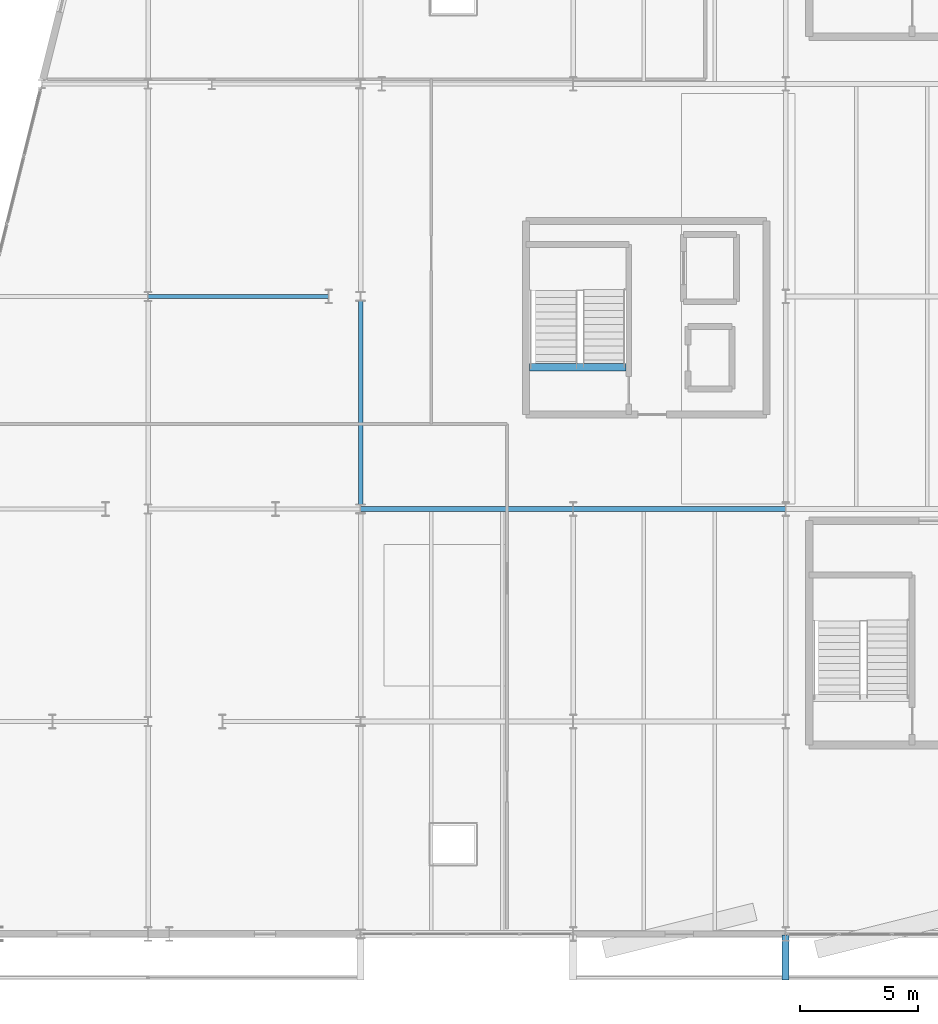
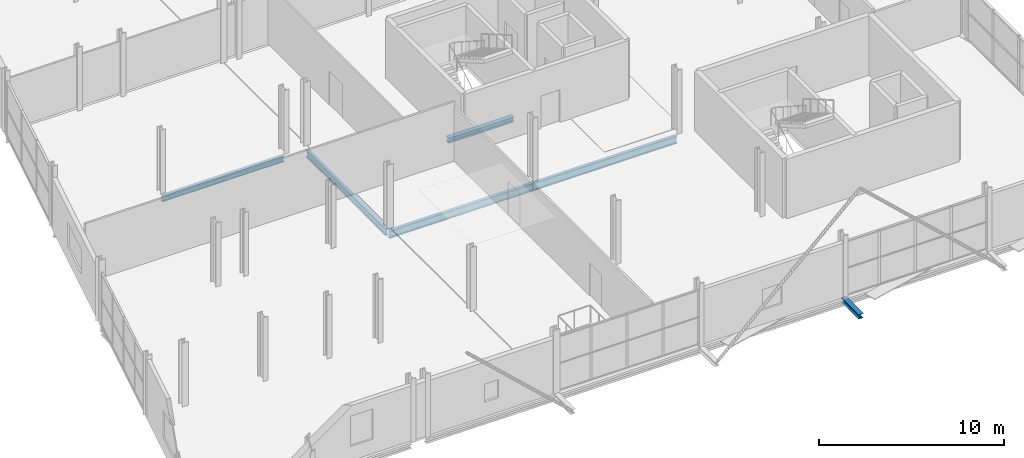
# One storey, part 45 of 103: 6 beams.
"""IFC4 building model written with IfcOpenShell, lengths in metres."""

import ifcopenshell
import ifcopenshell.guid

model = None  # the IFC model being written
_history = None  # IfcOwnerHistory: only IFC2X3 demands one
_inside = {}  # id of a spatial element -> (the spatial element, [elements in it])
_under = {}  # id of a project, library or spatial element -> (it, [spatial elements below it])
_declared = {}  # id of a project -> (the project, [libraries it declares])
_typed = {}  # id of a type object -> (the type object, [elements of that type])
_made_of = {}  # id of a material, layer set ... -> (it, [elements and type objects made of it])


def new_model(schema):
    """Start an empty IFC model of exactly this schema.

    Asked for "IFC4X3", IfcOpenShell would pick the latest addendum, in which some entities
    have other attributes; the version numbers below select the first issue.
    IFC2X3 requires an IfcOwnerHistory on every rooted entity: one is made here for all.
    """
    global model, _history
    if schema == "IFC4X3":
        model = ifcopenshell.file(schema_version=(4, 3, 0, 0))
    else:
        model = ifcopenshell.file(schema=schema)
    _inside.clear()
    _under.clear()
    _declared.clear()
    _typed.clear()
    _made_of.clear()
    _history = None
    if model.schema == "IFC2X3":
        org = make("IfcOrganization", Name="unknown")
        user = make(
            "IfcPersonAndOrganization",
            ThePerson=make("IfcPerson", FamilyName="unknown"),
            TheOrganization=org,
        )
        app = make(
            "IfcApplication",
            ApplicationDeveloper=org,
            Version="unknown",
            ApplicationFullName="unknown",
            ApplicationIdentifier="unknown",
        )
        _history = make(
            "IfcOwnerHistory",
            OwningUser=user,
            OwningApplication=app,
            ChangeAction="ADDED",
            CreationDate=0,
        )
    return model


def make(cls, **values):
    """One entity of the class cls with the attributes given. An attribute that is None is left unset."""
    return model.create_entity(
        cls, **{name: value for name, value in values.items() if value is not None}
    )


def rooted(cls, **values):
    """An entity with a GlobalId (a new one), such as an element, a storey or a relation."""
    return make(cls, GlobalId=ifcopenshell.guid.new(), OwnerHistory=_history, **values)


def si_unit(unit_type, name, prefix=None):
    """IfcSIUnit, for example si_unit("LENGTHUNIT", "METRE", prefix="MILLI")."""
    return make("IfcSIUnit", UnitType=unit_type, Prefix=prefix, Name=name)


def assignment(units):
    """IfcUnitAssignment: the units of a project."""
    return None if units is None else make("IfcUnitAssignment", Units=units)


def point(xyz):
    """IfcCartesianPoint."""
    return None if xyz is None else make("IfcCartesianPoint", Coordinates=xyz)


def direction(xyz):
    """IfcDirection."""
    return None if xyz is None else make("IfcDirection", DirectionRatios=xyz)


def frame(location, z_axis=None, x_axis=None):
    """IfcAxis2Placement3D, a coordinate frame: its origin and axes. An axis left out is left unset."""
    return make(
        "IfcAxis2Placement3D",
        Location=point(location),
        Axis=direction(z_axis),
        RefDirection=direction(x_axis),
    )


def frame_2d(location, x_axis=None):
    """IfcAxis2Placement2D, a coordinate frame in the plane: its origin and x axis."""
    return make(
        "IfcAxis2Placement2D", Location=point(location), RefDirection=direction(x_axis)
    )


def origin():
    """The frame at (0, 0, 0) with its axes left unset."""
    return frame((0.0, 0.0, 0.0))


def origin_2d():
    """The frame at (0, 0) in the plane with its x axis left unset."""
    return frame_2d((0.0, 0.0))


def place(relative_to, where):
    """IfcLocalPlacement: puts the frame where relative to a parent placement (None: the world)."""
    return make(
        "IfcLocalPlacement", PlacementRelTo=relative_to, RelativePlacement=where
    )


def context(
    kind, dimensions, precision=None, world=None, true_north=None, identifier=None
):
    """IfcGeometricRepresentationContext, for example the 3D "Model" context."""
    return make(
        "IfcGeometricRepresentationContext",
        ContextIdentifier=identifier,
        ContextType=kind,
        CoordinateSpaceDimension=dimensions,
        Precision=precision,
        WorldCoordinateSystem=world,
        TrueNorth=true_north,
    )


def subcontext(parent, identifier, kind, view, scale=None):
    """IfcGeometricRepresentationSubContext, for example "Body" below "Model"."""
    return make(
        "IfcGeometricRepresentationSubContext",
        ContextIdentifier=identifier,
        ContextType=kind,
        ParentContext=parent,
        TargetScale=scale,
        TargetView=view,
    )


def project(units=None, contexts=None):
    """IfcProject with its units and contexts."""
    return rooted(
        "IfcProject",
        Name="project",
        RepresentationContexts=contexts,
        UnitsInContext=assignment(units),
    )


def spatial(cls, under=None, at=None, **own):
    """A site, building, storey or space (cls), placed at a placement, below another one or the project."""
    s = rooted(cls, ObjectPlacement=at, **own)
    if under is not None:
        _under.setdefault(under.id(), (under, []))[1].append(s)
    return s


def profile(cls, at=None, kind="AREA", **sizes):
    """A parametric profile (cls). Its sizes go by their IFC names, for example OverallWidth=200.0."""
    return make(cls, ProfileType=kind, Position=at, **sizes)


def i_section(**sizes):
    """IfcIShapeProfileDef."""
    return profile("IfcIShapeProfileDef", **sizes)


def extrude(swept, where, along, depth):
    """IfcExtrudedAreaSolid: the profile swept, set in the frame where, extruded along a direction by depth."""
    return make(
        "IfcExtrudedAreaSolid",
        SweptArea=swept,
        Position=where,
        ExtrudedDirection=direction(along),
        Depth=depth,
    )


def shape(context_of_items, identifier, shape_type, items):
    """IfcShapeRepresentation: the items that make up one representation, for example the "Body"."""
    return make(
        "IfcShapeRepresentation",
        ContextOfItems=context_of_items,
        RepresentationIdentifier=identifier,
        RepresentationType=shape_type,
        Items=items,
    )


def material(Name=None, Category=None):
    """IfcMaterial."""
    return make("IfcMaterial", Name=Name, Category=Category)


def material_profile(
    of_material, cross_section, Name=None, Category=None, Priority=None
):
    """IfcMaterialProfile: a cross section and its material."""
    return make(
        "IfcMaterialProfile",
        Name=Name,
        Material=of_material,
        Profile=cross_section,
        Priority=Priority,
        Category=Category,
    )


def profile_set(profiles, Name=None, composite=None):
    """IfcMaterialProfileSet."""
    return make(
        "IfcMaterialProfileSet",
        Name=Name,
        MaterialProfiles=profiles,
        CompositeProfile=composite,
    )


def made_of(thing, what):
    """Note that an element or type object is made of a material, layer set ...; save() writes the relation."""
    if what is not None:
        _made_of.setdefault(what.id(), (what, []))[1].append(thing)
    return thing


def type_object(cls, material=None, **own):
    """A type object (cls), such as IfcWallType, which elements share."""
    return made_of(rooted(cls, **own), material)


def element(
    cls,
    number,
    at=None,
    inside=None,
    cuts=None,
    type_object=None,
    material=None,
    context=None,
    identifier="Body",
    shape_type=None,
    held_by="IfcProductDefinitionShape",
    body=None,
    shapes=None,
    **own,
):
    """One element of the class cls, such as IfcWall. Its Tag is "e" and its number.

    at: its placement. inside: the storey or other place that contains it. cuts: it is an
    opening in that element (IfcRelVoidsElement). A single representation is given by context,
    identifier, shape_type and body (its items); several are given by shapes. held_by: the class
    of the entity that holds the representations. save() writes the other relations.
    """
    e = rooted(cls, Tag="e%d" % number, ObjectPlacement=at, **own)
    if body is not None:
        shapes = [shape(context, identifier, shape_type, body)]
    if shapes is not None:
        e.Representation = make(held_by, Representations=shapes)
    if inside is not None:
        _inside.setdefault(inside.id(), (inside, []))[1].append(e)
    if cuts is not None:
        rooted(
            "IfcRelVoidsElement", RelatingBuildingElement=cuts, RelatedOpeningElement=e
        )
    if type_object is not None:
        _typed.setdefault(type_object.id(), (type_object, []))[1].append(e)
    return made_of(e, material)


def aggregate(whole, parts):
    """IfcRelAggregates: a whole, such as a stair, and the parts it consists of."""
    return rooted("IfcRelAggregates", RelatingObject=whole, RelatedObjects=parts)


def save(model, path):
    """Write the relations noted so far, then the file.

    IfcRelAggregates (storeys below a building ...), IfcRelContainedInSpatialStructure (elements
    in a storey), IfcRelDefinesByType, IfcRelAssociatesMaterial and IfcRelDeclares: one each for
    every whole, place, type object, material and project.
    """
    for whole, parts in _under.values():
        aggregate(whole, parts)
    for where, things in _inside.values():
        rooted(
            "IfcRelContainedInSpatialStructure",
            RelatedElements=things,
            RelatingStructure=where,
        )
    for kind, things in _typed.values():
        rooted("IfcRelDefinesByType", RelatedObjects=things, RelatingType=kind)
    for what, things in _made_of.values():
        rooted("IfcRelAssociatesMaterial", RelatedObjects=things, RelatingMaterial=what)
    for by, libraries in _declared.values():
        rooted("IfcRelDeclares", RelatingContext=by, RelatedDefinitions=libraries)
    model.write(path)


model = new_model("IFC4")

# Units and contexts
model_context = context("Model", 3, precision=1e-05, world=origin(), true_north=direction((0.0, 1.0)))
body_context = subcontext(model_context, "Body", "Model", "MODEL_VIEW")
ifc_project = project(units=[si_unit("LENGTHUNIT", "METRE"), si_unit("AREAUNIT", "SQUARE_METRE"), si_unit("VOLUMEUNIT", "CUBIC_METRE"), si_unit("PLANEANGLEUNIT", "RADIAN"), si_unit("MASSUNIT", "GRAM", prefix="KILO")], contexts=[model_context])

# Site, building, storey
site_placement = place(None, origin())
site = spatial("IfcSite", under=ifc_project, at=site_placement, CompositionType="ELEMENT")
building_placement = place(site_placement, origin())
building = spatial("IfcBuilding", under=site, at=building_placement, Name="Deido Ridge Mobility Hub", CompositionType="ELEMENT")
storey_placement = place(building_placement, frame((0.0, 0.0, 12.60009765625)))
storey = spatial("IfcBuildingStorey", under=building, at=storey_placement, Name="L03", CompositionType="ELEMENT", Elevation=12.60009765625)

# Beams
ifc_material = material(Name="Steel S355J2 EN 10025-2", Category="steel")
ifc_material_profile_1 = material_profile(ifc_material, i_section(OverallWidth=0.300048828125, OverallDepth=0.330078125, WebThickness=0.009521484375, FlangeThickness=0.0166015625, FilletRadius=0.027099609375, at=origin_2d()), Name="HEA 340")
ifc_profile_set_1 = profile_set([ifc_material_profile_1], Name="Steel S355J2 EN 10025-2")
beam_type_1 = type_object("IfcBeamType", Name="BM-HEA340", PredefinedType="BEAM", material=ifc_profile_set_1)
beam_1_placement = place(storey_placement, frame((151.14990234375, 24.0, -0.43017578125), z_axis=(1.0, 0.0, 0.0), x_axis=(0.0, 1.0, 0.0)))
element("IfcBeam", 1, at=beam_1_placement, inside=storey, type_object=beam_type_1, Name="C3 stair landing trimmer beam B6", PredefinedType="BEAM", context=body_context, shape_type="SweptSolid", body=[
    extrude(i_section(OverallWidth=0.300048828125, OverallDepth=0.330078125, WebThickness=0.009521484375, FlangeThickness=0.0166015625, FilletRadius=0.027099609375, at=origin_2d()), origin(), (0.0, 0.0, 1.0), 4.085205078125),
])
ifc_material_profile_2 = material_profile(ifc_material, i_section(OverallWidth=0.179931640625, OverallDepth=0.39990234375, WebThickness=0.008544921875, FlangeThickness=0.013427734375, FilletRadius=0.02099609375, at=origin_2d()), Name="IPE 400")
ifc_profile_set_2 = profile_set([ifc_material_profile_2], Name="Steel S355J2 EN 10025-2")
beam_type_2 = type_object("IfcBeamType", Name="BM-IPE400", PredefinedType="BEAM", material=ifc_profile_set_2)
beam_2_placement = place(storey_placement, frame((135.0068359375, 27.0, -0.465087890625), z_axis=(1.0, 0.0, 0.0), x_axis=(0.0, 1.0, 0.0)))
element("IfcBeam", 2, at=beam_2_placement, inside=storey, type_object=beam_type_2, Name="Floor beam B5", PredefinedType="BEAM", context=body_context, shape_type="SweptSolid", body=[
    extrude(i_section(OverallWidth=0.179931640625, OverallDepth=0.39990234375, WebThickness=0.008544921875, FlangeThickness=0.013427734375, FilletRadius=0.02099609375, at=origin_2d()), origin(), (0.0, 0.0, 1.0), 7.635498046875),
])
ifc_material_profile_3 = material_profile(ifc_material, i_section(OverallWidth=0.18994140625, OverallDepth=0.449951171875, WebThickness=0.009521484375, FlangeThickness=0.0146484375, FilletRadius=0.02099609375, at=origin_2d()), Name="IPE 450")
ifc_profile_set_3 = profile_set([ifc_material_profile_3], Name="Steel S355J2 EN 10025-2")
beam_type_3 = type_object("IfcBeamType", Name="BM-IPE450", PredefinedType="BEAM", material=ifc_profile_set_3)
beam_3_placement = place(storey_placement, frame((144.0, 18.196533203125, -0.489990234375), z_axis=(0.0, 1.0, 0.0), x_axis=(-1.0, 0.0, 0.0)))
element("IfcBeam", 3, at=beam_3_placement, inside=storey, type_object=beam_type_3, Name="Floor beam B4", PredefinedType="BEAM", context=body_context, shape_type="SweptSolid", body=[
    extrude(i_section(OverallWidth=0.18994140625, OverallDepth=0.449951171875, WebThickness=0.009521484375, FlangeThickness=0.0146484375, FilletRadius=0.02099609375, at=origin_2d()), origin(), (0.0, 0.0, 1.0), 8.60693359375),
])
ifc_material_profile_4 = material_profile(ifc_material, i_section(OverallWidth=0.199951171875, OverallDepth=0.5, WebThickness=0.01025390625, FlangeThickness=0.01611328125, FilletRadius=0.02099609375, at=origin_2d()), Name="IPE 500")
ifc_profile_set_4 = profile_set([ifc_material_profile_4], Name="Steel S355J2 EN 10025-2")
beam_type_4 = type_object("IfcBeamType", Name="BM-IPE500", PredefinedType="BEAM", material=ifc_profile_set_4)
beam_4_placement = place(storey_placement, frame((144.0087890625, 18.0, -0.51513671875), z_axis=(1.0, 0.0, 0.0), x_axis=(0.0, 1.0, 0.0)))
element("IfcBeam", 4, at=beam_4_placement, inside=storey, type_object=beam_type_4, Name="Floor beam B3", PredefinedType="BEAM", context=body_context, shape_type="SweptSolid", body=[
    extrude(i_section(OverallWidth=0.199951171875, OverallDepth=0.5, WebThickness=0.01025390625, FlangeThickness=0.01611328125, FilletRadius=0.02099609375, at=origin_2d()), origin(), (0.0, 0.0, 1.0), 8.9833984375),
])
beam_5_placement = place(storey_placement, frame((153.0078125, 18.0, -0.51513671875), z_axis=(1.0, 0.0, 0.0), x_axis=(0.0, 1.0, 0.0)))
element("IfcBeam", 5, at=beam_5_placement, inside=storey, type_object=beam_type_4, Name="Floor beam B3", PredefinedType="BEAM", context=body_context, shape_type="SweptSolid", body=[
    extrude(i_section(OverallWidth=0.199951171875, OverallDepth=0.5, WebThickness=0.01025390625, FlangeThickness=0.01611328125, FilletRadius=0.02099609375, at=origin_2d()), origin(), (0.0, 0.0, 1.0), 8.984375),
])
ifc_material_profile_5 = material_profile(ifc_material, i_section(OverallWidth=0.300048828125, OverallDepth=0.300048828125, WebThickness=0.010986328125, FlangeThickness=0.01904296875, FilletRadius=0.027099609375, at=origin_2d()), Name="HEB 300")
ifc_profile_set_5 = profile_set([ifc_material_profile_5], Name="Steel S355J2 EN 10025-2")
beam_type_5 = type_object("IfcBeamType", Name="SPD-HEB300", PredefinedType="SPANDREL", material=ifc_profile_set_5)
beam_6_placement = place(storey_placement, frame((162.0, -0.050048828125, -0.150146484375), z_axis=(0.0, -1.0, 0.0), x_axis=(1.0, 0.0, 0.0)))
element("IfcBeam", 6, at=beam_6_placement, inside=storey, type_object=beam_type_5, Name="Exoskeleton outrigger beam SP1", PredefinedType="SPANDREL", context=body_context, shape_type="SweptSolid", body=[
    extrude(i_section(OverallWidth=0.300048828125, OverallDepth=0.300048828125, WebThickness=0.010986328125, FlangeThickness=0.01904296875, FilletRadius=0.027099609375, at=origin_2d()), origin(), (0.0, 0.0, 1.0), 1.89990234375),
])

save(model, "model.ifc")
